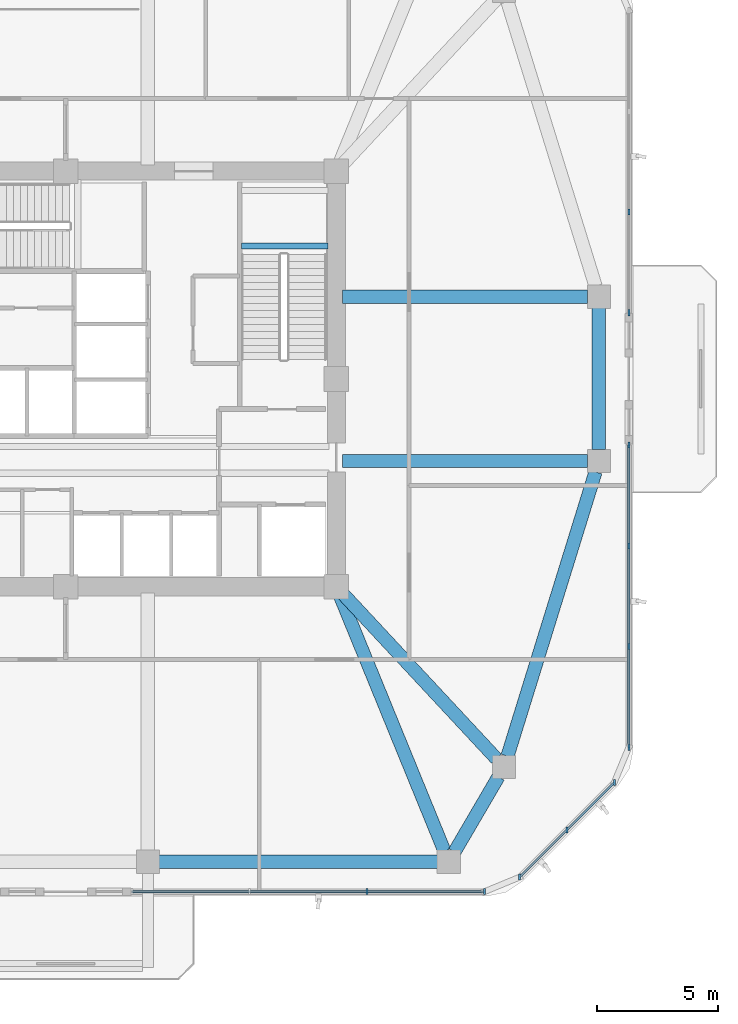
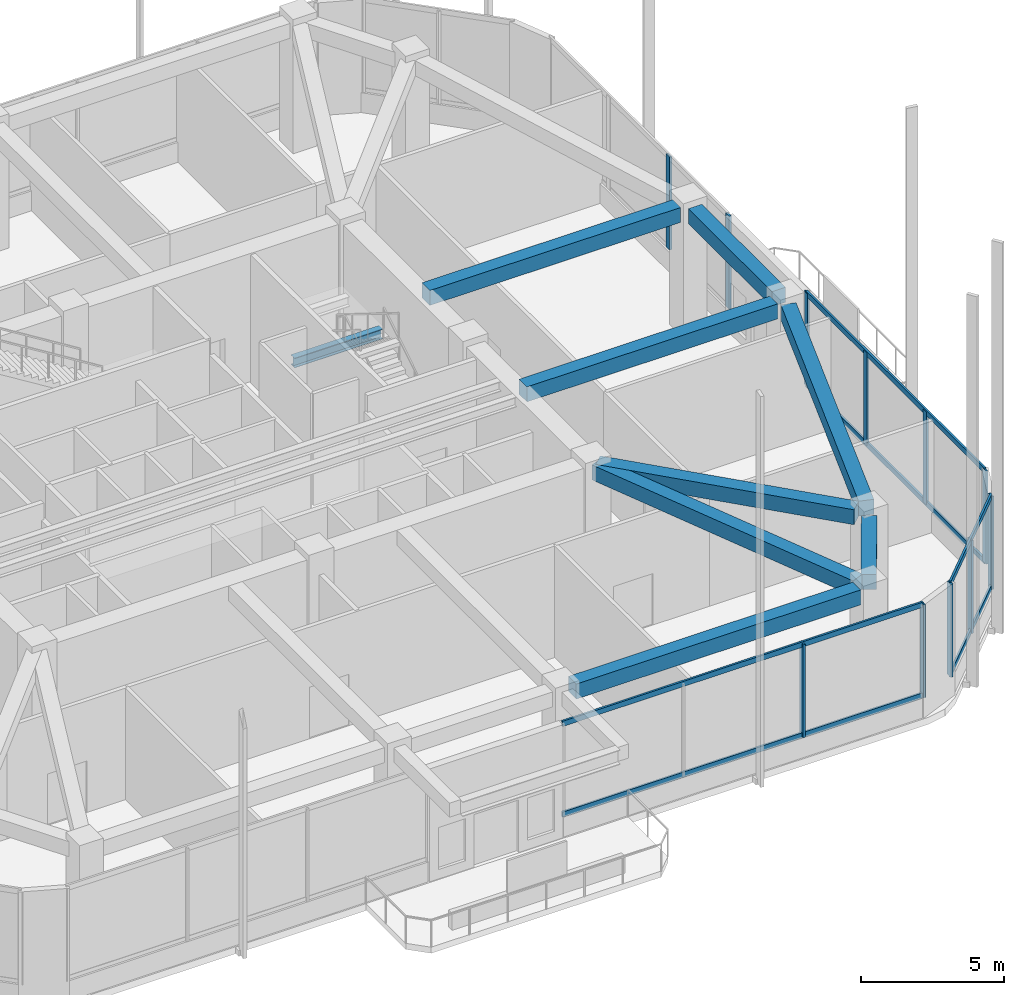
# One storey, part 3 of 12: 17 members, 9 beams, 4 elements without a shape of their own.
"""IFC4 building model written with IfcOpenShell, lengths in metres."""

from ifc_helpers import new_model, si_unit, derived_unit, direction, frame, origin, origin_2d, place, context, subcontext, project, spatial, rectangle, i_section, extrude, material, material_profile, profile_set, type_object, element, aggregate, save


model = new_model("IFC4")

# Units and contexts
model_context = context("Model", 3, precision=1e-05, world=origin(), true_north=direction((0.0, 1.0)))
body_context = subcontext(model_context, "Body", "Model", "MODEL_VIEW")
ifc_project = project(units=[si_unit("LENGTHUNIT", "METRE"), si_unit("AREAUNIT", "SQUARE_METRE"), si_unit("VOLUMEUNIT", "CUBIC_METRE"), si_unit("PLANEANGLEUNIT", "RADIAN"), si_unit("MASSUNIT", "GRAM", prefix="KILO"), derived_unit("THERMALTRANSMITTANCEUNIT", [(si_unit("POWERUNIT", "WATT"), 1), (si_unit("LENGTHUNIT", "METRE"), -2), (si_unit("THERMODYNAMICTEMPERATUREUNIT", "KELVIN"), -1)])], contexts=[model_context])

# Site, building, storey
site_placement = place(None, origin())
site = spatial("IfcSite", under=ifc_project, at=site_placement, CompositionType="ELEMENT")
building_placement = place(site_placement, origin())
building = spatial("IfcBuilding", under=site, at=building_placement, Name="Koralith Skygarden Medical Center", CompositionType="ELEMENT")
storey_placement = place(building_placement, frame((0.0, 0.0, 129.06005859375)))
storey = spatial("IfcBuildingStorey", under=building, at=storey_placement, Name="L33", CompositionType="ELEMENT", Elevation=129.06005859375)

# Curtain wall, members
ifc_material_1 = material(Name="Clear Laminated Glass", Category="glass")
curtain_wall_type = type_object("IfcCurtainWallType", Name="CW-7 Sky-Garden & Pool Conservatory Wall", PredefinedType="NOTDEFINED", material=ifc_material_1)
curtain_wall_1_placement = place(storey_placement, origin())
curtain_wall_1 = element("IfcCurtainWall", 1, at=curtain_wall_1_placement, inside=storey, type_object=curtain_wall_type, Name="Curtain Wall CW-L33-S-R", PredefinedType="NOTDEFINED")
ifc_material_2 = material(Name="Aluminium 6063-T6", Category="aluminium")
ifc_material_profile_1 = material_profile(ifc_material_2, rectangle(XDim=0.0859375, YDim=0.25, at=origin_2d()), Name="MUL86X250")
ifc_profile_set_1 = profile_set([ifc_material_profile_1], Name="Aluminium 6063-T6")
member_type_1 = type_object("IfcMemberType", Name="CW-7 Extruded Mullion 86x250", PredefinedType="MULLION", material=ifc_profile_set_1)
member_1_placement = place(storey_placement, frame((49.466064453125, 4.679931640625, 0.849853515625), z_axis=(0.0, 0.0, 1.0), x_axis=(1.0, 0.0, 0.0)))
member_1 = element("IfcMember", 2, at=member_1_placement, type_object=member_type_1, Name="CW-L33-S-R Mullion 3", PredefinedType="MULLION", context=body_context, shape_type="SweptSolid", body=[
    extrude(rectangle(XDim=0.0859375, YDim=0.25, at=origin_2d()), origin(), (0.0, 0.0, 1.0), 3.97998046875),
])
member_2_placement = place(storey_placement, frame((54.3291015625, 4.679931640625, 0.849853515625), z_axis=(0.0, 0.0, 1.0), x_axis=(1.0, 0.0, 0.0)))
member_2 = element("IfcMember", 3, at=member_2_placement, type_object=member_type_1, Name="CW-L33-S-R Mullion 4", PredefinedType="MULLION", context=body_context, shape_type="SweptSolid", body=[
    extrude(rectangle(XDim=0.0859375, YDim=0.25, at=origin_2d()), origin(), (0.0, 0.0, 1.0), 3.97998046875),
])

curtain_wall_2_placement = place(storey_placement, origin())
curtain_wall_2 = element("IfcCurtainWall", 4, at=curtain_wall_2_placement, inside=storey, type_object=curtain_wall_type, Name="Curtain Wall CW-L33-SE", PredefinedType="NOTDEFINED")
member_3_placement = place(storey_placement, frame((55.780029296875, 5.281005859375, 0.849853515625), z_axis=(0.0, 0.0, 1.0), x_axis=(1.0, 0.0, 0.0)))
member_3 = element("IfcMember", 5, at=member_3_placement, type_object=member_type_1, Name="CW-L33-SE Mullion 1", PredefinedType="MULLION", context=body_context, shape_type="SweptSolid", body=[
    extrude(rectangle(XDim=0.0859375, YDim=0.25, at=origin_2d()), origin(), (0.0, 0.0, 1.0), 3.97998046875),
])
member_4_placement = place(storey_placement, frame((57.741943359375, 7.241943359375, 0.849853515625), z_axis=(0.0, 0.0, 1.0), x_axis=(1.0, 0.0, 0.0)))
member_4 = element("IfcMember", 6, at=member_4_placement, type_object=member_type_1, Name="CW-L33-SE Mullion 2", PredefinedType="MULLION", context=body_context, shape_type="SweptSolid", body=[
    extrude(rectangle(XDim=0.0859375, YDim=0.25, at=origin_2d()), origin(), (0.0, 0.0, 1.0), 3.97998046875),
])
member_5_placement = place(storey_placement, frame((59.702880859375, 9.2041015625, 0.849853515625), z_axis=(0.0, 0.0, 1.0), x_axis=(1.0, 0.0, 0.0)))
member_5 = element("IfcMember", 7, at=member_5_placement, type_object=member_type_1, Name="CW-L33-SE Mullion 3", PredefinedType="MULLION", context=body_context, shape_type="SweptSolid", body=[
    extrude(rectangle(XDim=0.0859375, YDim=0.25, at=origin_2d()), origin(), (0.0, 0.0, 1.0), 3.97998046875),
])

curtain_wall_3_placement = place(storey_placement, origin())
curtain_wall_3 = element("IfcCurtainWall", 8, at=curtain_wall_3_placement, inside=storey, type_object=curtain_wall_type, Name="Curtain Wall CW-L33-E-L", PredefinedType="NOTDEFINED")
member_6_placement = place(storey_placement, frame((60.303955078125, 10.655029296875, 0.849853515625), z_axis=(0.0, 0.0, 1.0), x_axis=(1.0, 0.0, 0.0)))
member_6 = element("IfcMember", 9, at=member_6_placement, type_object=member_type_1, Name="CW-L33-E-L Mullion 1", PredefinedType="MULLION", context=body_context, shape_type="SweptSolid", body=[
    extrude(rectangle(XDim=0.0859375, YDim=0.25, at=origin_2d()), origin(), (0.0, 0.0, 1.0), 3.97998046875),
])
member_7_placement = place(storey_placement, frame((60.303955078125, 14.822998046875, 0.849853515625), z_axis=(0.0, 0.0, 1.0), x_axis=(1.0, 0.0, 0.0)))
member_7 = element("IfcMember", 10, at=member_7_placement, type_object=member_type_1, Name="CW-L33-E-L Mullion 2", PredefinedType="MULLION", context=body_context, shape_type="SweptSolid", body=[
    extrude(rectangle(XDim=0.0859375, YDim=0.25, at=origin_2d()), origin(), (0.0, 0.0, 1.0), 3.97998046875),
])
member_8_placement = place(storey_placement, frame((60.303955078125, 18.990966796875, 0.849853515625), z_axis=(0.0, 0.0, 1.0), x_axis=(1.0, 0.0, 0.0)))
member_8 = element("IfcMember", 11, at=member_8_placement, type_object=member_type_1, Name="CW-L33-E-L Mullion 3", PredefinedType="MULLION", context=body_context, shape_type="SweptSolid", body=[
    extrude(rectangle(XDim=0.0859375, YDim=0.25, at=origin_2d()), origin(), (0.0, 0.0, 1.0), 3.97998046875),
])
member_9_placement = place(storey_placement, frame((60.303955078125, 23.158935546875, 0.849853515625), z_axis=(0.0, 0.0, 1.0), x_axis=(1.0, 0.0, 0.0)))
member_9 = element("IfcMember", 12, at=member_9_placement, type_object=member_type_1, Name="CW-L33-E-L Mullion 4", PredefinedType="MULLION", context=body_context, shape_type="SweptSolid", body=[
    extrude(rectangle(XDim=0.0859375, YDim=0.25, at=origin_2d()), origin(), (0.0, 0.0, 1.0), 3.97998046875),
])

curtain_wall_4_placement = place(storey_placement, origin())
curtain_wall_4 = element("IfcCurtainWall", 13, at=curtain_wall_4_placement, inside=storey, type_object=curtain_wall_type, Name="Curtain Wall CW-L33-E-R", PredefinedType="NOTDEFINED")
member_10_placement = place(storey_placement, frame((60.303955078125, 28.638916015625, 0.849853515625), z_axis=(0.0, 0.0, 1.0), x_axis=(1.0, 0.0, 0.0)))
member_10 = element("IfcMember", 14, at=member_10_placement, type_object=member_type_1, Name="CW-L33-E-R Mullion 1", PredefinedType="MULLION", context=body_context, shape_type="SweptSolid", body=[
    extrude(rectangle(XDim=0.0859375, YDim=0.25, at=origin_2d()), origin(), (0.0, 0.0, 1.0), 3.97998046875),
])
member_11_placement = place(storey_placement, frame((60.303955078125, 32.80810546875, 0.849853515625), z_axis=(0.0, 0.0, 1.0), x_axis=(1.0, 0.0, 0.0)))
member_11 = element("IfcMember", 15, at=member_11_placement, type_object=member_type_1, Name="CW-L33-E-R Mullion 2", PredefinedType="MULLION", context=body_context, shape_type="SweptSolid", body=[
    extrude(rectangle(XDim=0.0859375, YDim=0.25, at=origin_2d()), origin(), (0.0, 0.0, 1.0), 3.97998046875),
])
aggregate(curtain_wall_4, [member_10, member_11])

# Member
ifc_material_profile_2 = material_profile(ifc_material_2, rectangle(XDim=0.0810546875, YDim=0.22509765625, at=origin_2d()), Name="TRN81X225")
ifc_profile_set_2 = profile_set([ifc_material_profile_2], Name="Aluminium 6063-T6")
member_type_2 = type_object("IfcMemberType", Name="CW-7 Thermal Transom 81x225", PredefinedType="USERDEFINED", material=ifc_profile_set_2)
member_12_placement = place(storey_placement, frame((39.739013671875, 4.679931640625, 0.89990234375), z_axis=(1.0, 0.0, 0.0), x_axis=(0.0, 1.0, 0.0)))
member_12 = element("IfcMember", 16, at=member_12_placement, type_object=member_type_2, Name="CW-L33-S-R Transom 1", ObjectType="TRANSOM", PredefinedType="USERDEFINED", context=body_context, shape_type="SweptSolid", body=[
    extrude(rectangle(XDim=0.0810546875, YDim=0.22509765625, at=origin_2d()), origin(), (0.0, 0.0, 1.0), 14.590087890625),
])

member_13_placement = place(storey_placement, frame((39.739013671875, 4.679931640625, 4.780029296875), z_axis=(1.0, 0.0, 0.0), x_axis=(0.0, 1.0, 0.0)))
member_13 = element("IfcMember", 17, at=member_13_placement, type_object=member_type_2, Name="CW-L33-S-R Transom 2", ObjectType="TRANSOM", PredefinedType="USERDEFINED", context=body_context, shape_type="SweptSolid", body=[
    extrude(rectangle(XDim=0.0810546875, YDim=0.22509765625, at=origin_2d()), origin(), (0.0, 0.0, 1.0), 14.590087890625),
])

aggregate(curtain_wall_1, [member_1, member_2, member_12, member_13])

member_14_placement = place(storey_placement, frame((55.780029296875, 5.281005859375, 0.89990234375), z_axis=(0.707084777957, 0.707128783731, 0.0), x_axis=(-0.707128783731, 0.707084777957, 0.0)))
member_14 = element("IfcMember", 18, at=member_14_placement, type_object=member_type_2, Name="CW-L33-SE Transom 1", ObjectType="TRANSOM", PredefinedType="USERDEFINED", context=body_context, shape_type="SweptSolid", body=[
    extrude(rectangle(XDim=0.0810546875, YDim=0.22509765625, at=origin_2d()), origin(), (0.0, 0.0, 1.0), 5.5478515625),
])

member_15_placement = place(storey_placement, frame((55.780029296875, 5.281005859375, 4.780029296875), z_axis=(0.707084777957, 0.707128783731, 0.0), x_axis=(-0.707128783731, 0.707084777957, 0.0)))
member_15 = element("IfcMember", 19, at=member_15_placement, type_object=member_type_2, Name="CW-L33-SE Transom 2", ObjectType="TRANSOM", PredefinedType="USERDEFINED", context=body_context, shape_type="SweptSolid", body=[
    extrude(rectangle(XDim=0.0810546875, YDim=0.22509765625, at=origin_2d()), origin(), (0.0, 0.0, 1.0), 5.5478515625),
])

aggregate(curtain_wall_2, [member_3, member_4, member_5, member_14, member_15])

member_16_placement = place(storey_placement, frame((60.303955078125, 10.655029296875, 0.89990234375), z_axis=(0.0, 1.0, 0.0), x_axis=(-1.0, 0.0, 0.0)))
member_16 = element("IfcMember", 20, at=member_16_placement, type_object=member_type_2, Name="CW-L33-E-L Transom 1", ObjectType="TRANSOM", PredefinedType="USERDEFINED", context=body_context, shape_type="SweptSolid", body=[
    extrude(rectangle(XDim=0.0810546875, YDim=0.22509765625, at=origin_2d()), origin(), (0.0, 0.0, 1.0), 12.50390625),
])

member_17_placement = place(storey_placement, frame((60.303955078125, 10.655029296875, 4.780029296875), z_axis=(0.0, 1.0, 0.0), x_axis=(-1.0, 0.0, 0.0)))
member_17 = element("IfcMember", 21, at=member_17_placement, type_object=member_type_2, Name="CW-L33-E-L Transom 2", ObjectType="TRANSOM", PredefinedType="USERDEFINED", context=body_context, shape_type="SweptSolid", body=[
    extrude(rectangle(XDim=0.0810546875, YDim=0.22509765625, at=origin_2d()), origin(), (0.0, 0.0, 1.0), 12.50390625),
])

aggregate(curtain_wall_3, [member_6, member_7, member_8, member_9, member_16, member_17])

# Beams
ifc_material_3 = material(Name="Steel ASTM A992 Grade 50", Category="steel")
ifc_material_profile_3 = material_profile(ifc_material_3, i_section(OverallWidth=0.260009765625, OverallDepth=0.4150390625, WebThickness=0.010009765625, FlangeThickness=0.016845703125, at=origin_2d()), Name="W16X67")
ifc_profile_set_3 = profile_set([ifc_material_profile_3], Name="Steel ASTM A992 Grade 50")
beam_type_1 = type_object("IfcBeamType", Name="Clinical Floor Joist W16X67", PredefinedType="JOIST", material=ifc_profile_set_3)
beam_1_placement = place(storey_placement, frame((44.280029296875, 31.39990234375, 2.471923828125), z_axis=(1.0, 0.0, 0.0), x_axis=(0.0, 1.0, 0.0)))
element("IfcBeam", 22, at=beam_1_placement, inside=storey, type_object=beam_type_1, Name="L33 Stair ST2 Half-Landing Support Beam 1A", PredefinedType="JOIST", context=body_context, shape_type="SweptSolid", body=[
    extrude(i_section(OverallWidth=0.260009765625, OverallDepth=0.4150390625, WebThickness=0.010009765625, FlangeThickness=0.016845703125, at=origin_2d()), origin(), (0.0, 0.0, 1.0), 3.56494140625),
])
ifc_material_4 = material(Name="Concrete C45/55", Category="concrete")
ifc_material_profile_4 = material_profile(ifc_material_4, rectangle(XDim=0.550048828125, YDim=0.639892578125, at=origin_2d()), Name="RCB550X640")
ifc_profile_set_4 = profile_set([ifc_material_profile_4], Name="Concrete C45/55")
beam_type_2 = type_object("IfcBeamType", Name="Radial Collector Beam RCB550X640", PredefinedType="BEAM", material=ifc_profile_set_4)
beam_2_placement = place(storey_placement, frame((48.294921875, 17.069091796875, 5.159912109375), z_axis=(0.378344544364, -0.92566484526, 0.0), x_axis=(0.92566484526, 0.378344544364, 0.0)))
element("IfcBeam", 23, at=beam_2_placement, inside=storey, type_object=beam_type_2, Name="L33 Radial Collector Beam RB-06", PredefinedType="BEAM", context=body_context, shape_type="SweptSolid", body=[
    extrude(rectangle(XDim=0.550048828125, YDim=0.639892578125, at=origin_2d()), origin(), (0.0, 0.0, 1.0), 11.574462890625),
])
beam_3_placement = place(storey_placement, frame((48.3701171875, 17.116943359375, 5.159912109375), z_axis=(0.681369011591, -0.731940072713, 0.0), x_axis=(0.731940072713, 0.681369011591, 0.0)))
element("IfcBeam", 24, at=beam_3_placement, inside=storey, type_object=beam_type_2, Name="L33 Radial Collector Beam RB-07", PredefinedType="BEAM", context=body_context, shape_type="SweptSolid", body=[
    extrude(rectangle(XDim=0.550048828125, YDim=0.639892578125, at=origin_2d()), origin(), (0.0, 0.0, 1.0), 9.471923828125),
])
for number, where, z_axis, x_axis, name in (
    (25, (48.449951171875, 22.5, 5.159912109375), (1.0, 0.0, 0.0), (0.0, 1.0, 0.0), "L33 Radial Collector Beam RB-08"),
    (26, (48.449951171875, 29.300048828125, 5.159912109375), (1.0, 0.0, 0.0), (0.0, 1.0, 0.0), "L33 Radial Collector Beam RB-09"),
):
    element("IfcBeam", number, at=place(storey_placement, frame(where, z_axis=z_axis, x_axis=x_axis)), inside=storey, type_object=beam_type_2, Name=name, PredefinedType="BEAM", context=body_context, shape_type="SweptSolid", body=[
        extrude(rectangle(XDim=0.550048828125, YDim=0.639892578125, at=origin_2d()), origin(), (0.0, 0.0, 1.0), 10.14404296875),
    ])
ifc_material_profile_5 = material_profile(ifc_material_4, rectangle(XDim=0.550048828125, YDim=0.639892578125, at=origin_2d()), Name="RCB550X640")
ifc_profile_set_5 = profile_set([ifc_material_profile_5], Name="Concrete C45/55")
beam_type_3 = type_object("IfcBeamType", Name="Zone 2-3 Spandrel Beam RCB550X640", PredefinedType="SPANDREL", material=ifc_profile_set_5)
beam_4_placement = place(storey_placement, frame((40.8701171875, 5.919921875, 5.159912109375), z_axis=(1.0, 0.0, 0.0), x_axis=(0.0, 1.0, 0.0)))
element("IfcBeam", 27, at=beam_4_placement, inside=storey, type_object=beam_type_3, Name="L33 Perimeter Spandrel Beam SP-05", PredefinedType="SPANDREL", context=body_context, shape_type="SweptSolid", body=[
    extrude(rectangle(XDim=0.550048828125, YDim=0.639892578125, at=origin_2d()), origin(), (0.0, 0.0, 1.0), 11.511962890625),
])
beam_5_placement = place(storey_placement, frame((53.089111328125, 6.325927734375, 5.159912109375), z_axis=(0.504861391295, 0.863200426077, 0.0), x_axis=(-0.863200426077, 0.504861391295, 0.0)))
element("IfcBeam", 28, at=beam_5_placement, inside=storey, type_object=beam_type_3, Name="L33 Perimeter Spandrel Beam SP-06", PredefinedType="SPANDREL", context=body_context, shape_type="SweptSolid", body=[
    extrude(rectangle(XDim=0.550048828125, YDim=0.639892578125, at=origin_2d()), origin(), (0.0, 0.0, 1.0), 3.600830078125),
])
beam_6_placement = place(storey_placement, frame((55.282958984375, 10.2890625, 5.159912109375), z_axis=(0.295793585147, 0.955251880389, 0.0), x_axis=(-0.955251880389, 0.295793585147, 0.0)))
element("IfcBeam", 29, at=beam_6_placement, inside=storey, type_object=beam_type_3, Name="L33 Perimeter Spandrel Beam SP-07", PredefinedType="SPANDREL", context=body_context, shape_type="SweptSolid", body=[
    extrude(rectangle(XDim=0.550048828125, YDim=0.639892578125, at=origin_2d()), origin(), (0.0, 0.0, 1.0), 12.31298828125),
])
beam_7_placement = place(storey_placement, frame((59.06396484375, 22.969970703125, 5.159912109375), z_axis=(0.0, 1.0, 0.0), x_axis=(-1.0, 0.0, 0.0)))
element("IfcBeam", 30, at=beam_7_placement, inside=storey, type_object=beam_type_3, Name="L33 Perimeter Spandrel Beam SP-08", PredefinedType="SPANDREL", context=body_context, shape_type="SweptSolid", body=[
    extrude(rectangle(XDim=0.550048828125, YDim=0.639892578125, at=origin_2d()), origin(), (0.0, 0.0, 1.0), 5.860107421875),
])

save(model, "model.ifc")
